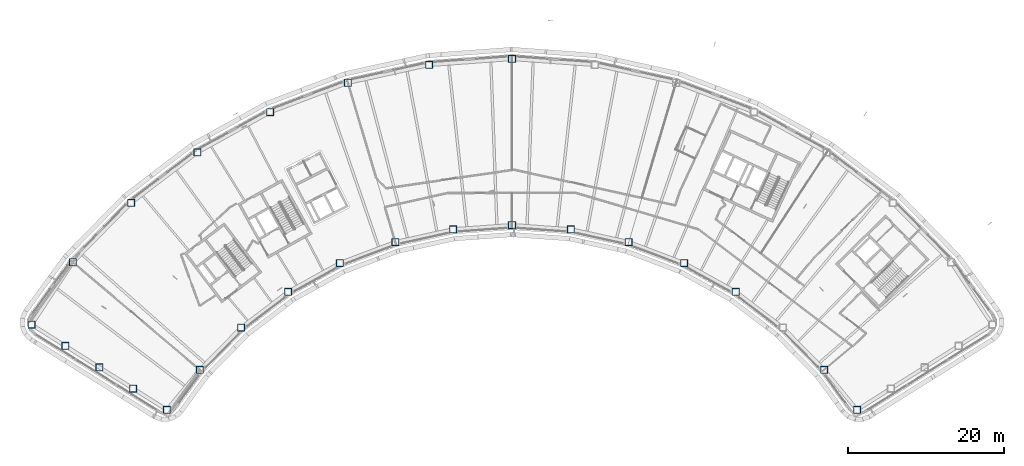
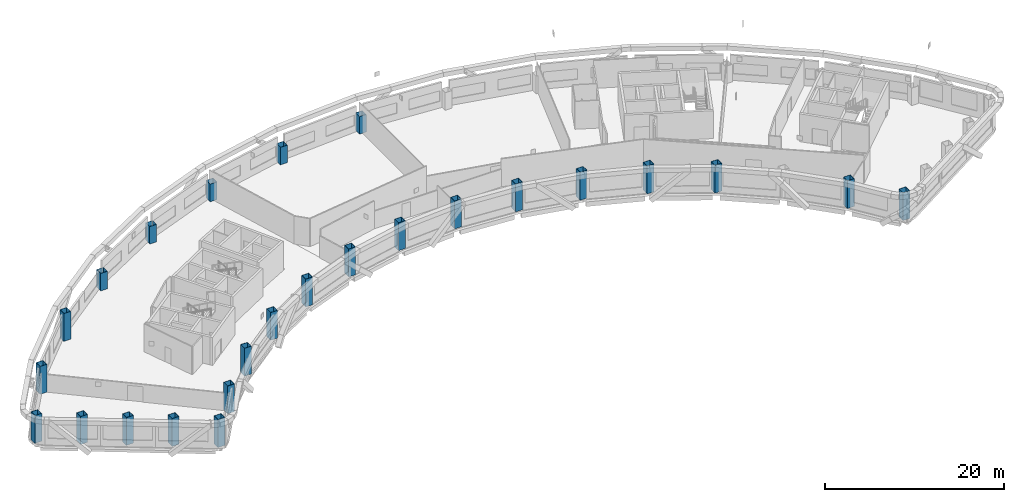
# One storey, part 1 of 20: 25 columns.
"""IFC4 building model written with IfcOpenShell, lengths in metres."""

from ifc_helpers import new_model, si_unit, direction, frame, origin, origin_2d, place, context, subcontext, project, spatial, hollow_rectangle, extrude, material, material_profile, profile_set, type_object, element, save


model = new_model("IFC4")

# Units and contexts
model_context = context("Model", 3, precision=1e-05, world=origin(), true_north=direction((0.0, 1.0)))
body_context = subcontext(model_context, "Body", "Model", "MODEL_VIEW")
ifc_project = project(units=[si_unit("LENGTHUNIT", "METRE"), si_unit("AREAUNIT", "SQUARE_METRE"), si_unit("VOLUMEUNIT", "CUBIC_METRE"), si_unit("PLANEANGLEUNIT", "RADIAN"), si_unit("MASSUNIT", "GRAM", prefix="KILO")], contexts=[model_context])

# Site, building, storey
site_placement = place(None, origin())
site = spatial("IfcSite", under=ifc_project, at=site_placement, CompositionType="ELEMENT")
building_placement = place(site_placement, origin())
building = spatial("IfcBuilding", under=site, at=building_placement, Name="Tuul Gate Civic Tower", CompositionType="ELEMENT")
storey_placement = place(building_placement, frame((0.0, 0.0, 197.300048828125)))
storey = spatial("IfcBuildingStorey", under=building, at=storey_placement, Name="Level 45", CompositionType="ELEMENT", Elevation=197.300048828125)

# Columns
ifc_material = material(Name="Steel S355", Category="steel")
ifc_material_profile = material_profile(ifc_material, hollow_rectangle(XDim=0.89990234375, YDim=0.89990234375, WallThickness=0.031982421875, at=origin_2d()), Name="BOX900x900x32")
ifc_profile_set = profile_set([ifc_material_profile], Name="Steel S355")
column_type = type_object("IfcColumnType", Name="STR-COLUMN-BOX900x900x32", PredefinedType="COLUMN", material=ifc_profile_set)
for number, where, z_axis, x_axis, name in (
    (1, (0.989990234375, 13.615966796875, 0.0), (0.0, 0.0, 1.0), (1.0, 0.0, 0.0), "Column"),
    (2, (-9.659912109375, 12.843994140625, 0.0), (0.0, 0.0, 1.0), (1.0, 0.0, 0.0), "Column"),
    (3, (-20.0869140625, 10.5458984375, 0.0), (0.0, 0.0, 1.0), (1.0, 0.0, 0.0), "Column"),
    (4, (-30.073974609375, 6.77001953125, 0.0), (0.0, 0.0, 1.0), (1.0, 0.0, 0.0), "Column"),
    (5, (-39.412109375, 1.593017578125, 0.0), (0.0, 0.0, 1.0), (1.0, 0.0, 0.0), "Column"),
):
    element("IfcColumn", number, at=place(storey_placement, frame(where, z_axis=z_axis, x_axis=x_axis)), inside=storey, type_object=column_type, Name=name, PredefinedType="COLUMN", context=body_context, shape_type="SweptSolid", body=[
        extrude(hollow_rectangle(XDim=0.89990234375, YDim=0.89990234375, WallThickness=0.031982421875, at=origin_2d()), origin(), (0.0, 0.0, 1.0), 2.39990234375),
    ])
for number, where, z_axis, x_axis, name in (
    (6, (-47.907958984375, -4.875, 0.0), (0.0, 0.0, 1.0), (1.0, 0.0, 0.0), "Column"),
    (7, (-55.382080078125, -12.5, 0.0), (0.0, 0.0, 1.0), (1.0, 0.0, 0.0), "Column"),
    (8, (-60.680908203125, -20.512939453125, 0.0), (0.0, 0.0, 1.0), (1.0, 0.0, 0.0), "Column"),
    (9, (-56.339111328125, -23.2470703125, 0.0), (0.0, 0.0, 1.0), (1.0, 0.0, 0.0), "Column"),
    (10, (-51.99609375, -25.98193359375, 0.0), (0.0, 0.0, 1.0), (1.0, 0.0, 0.0), "Column"),
    (11, (-47.654052734375, -28.716064453125, 0.0), (0.0, 0.0, 1.0), (1.0, 0.0, 0.0), "Column"),
    (12, (-43.31103515625, -31.450927734375, 0.0), (0.0, 0.0, 1.0), (1.0, 0.0, 0.0), "Column"),
    (13, (-39.091064453125, -26.30908203125, 0.0), (0.0, 0.0, 1.0), (1.0, 0.0, 0.0), "Column"),
    (14, (-33.777099609375, -20.886962890625, 0.0), (0.0, 0.0, 1.0), (1.0, 0.0, 0.0), "Column"),
    (15, (-27.737060546875, -16.2880859375, 0.0), (0.0, 0.0, 1.0), (1.0, 0.0, 0.0), "Column"),
    (16, (-21.096923828125, -12.60791015625, 0.0), (0.0, 0.0, 1.0), (1.0, 0.0, 0.0), "Column"),
    (17, (-13.99609375, -9.923095703125, 0.0), (0.0, 0.0, 1.0), (1.0, 0.0, 0.0), "Column"),
    (18, (-6.58203125, -8.2890625, 0.0), (0.0, 0.0, 1.0), (1.0, 0.0, 0.0), "Column"),
    (19, (0.989990234375, -7.739990234375, 0.0), (0.0, 0.0, 1.0), (1.0, 0.0, 0.0), "Column"),
    (20, (8.56201171875, -8.2890625, 0.0), (0.0, 0.0, 1.0), (1.0, 0.0, 0.0), "Column"),
    (21, (15.97607421875, -9.923095703125, 0.0), (0.0, 0.0, 1.0), (1.0, 0.0, 0.0), "Column"),
    (22, (23.076904296875, -12.60791015625, 0.0), (0.0, 0.0, 1.0), (1.0, 0.0, 0.0), "Column"),
    (23, (29.716064453125, -16.2880859375, 0.0), (0.0, 0.0, 1.0), (1.0, 0.0, 0.0), "Column"),
    (24, (41.071044921875, -26.30908203125, 0.0), (0.0, 0.0, 1.0), (1.0, 0.0, 0.0), "Column"),
    (25, (45.291015625, -31.450927734375, 0.0), (0.0, 0.0, 1.0), (1.0, 0.0, 0.0), "Column"),
):
    element("IfcColumn", number, at=place(storey_placement, frame(where, z_axis=z_axis, x_axis=x_axis)), inside=storey, type_object=column_type, Name=name, PredefinedType="COLUMN", context=body_context, shape_type="SweptSolid", body=[
        extrude(hollow_rectangle(XDim=0.89990234375, YDim=0.89990234375, WallThickness=0.031982421875, at=origin_2d()), origin(), (0.0, 0.0, 1.0), 3.800048828125),
    ])

save(model, "model.ifc")
